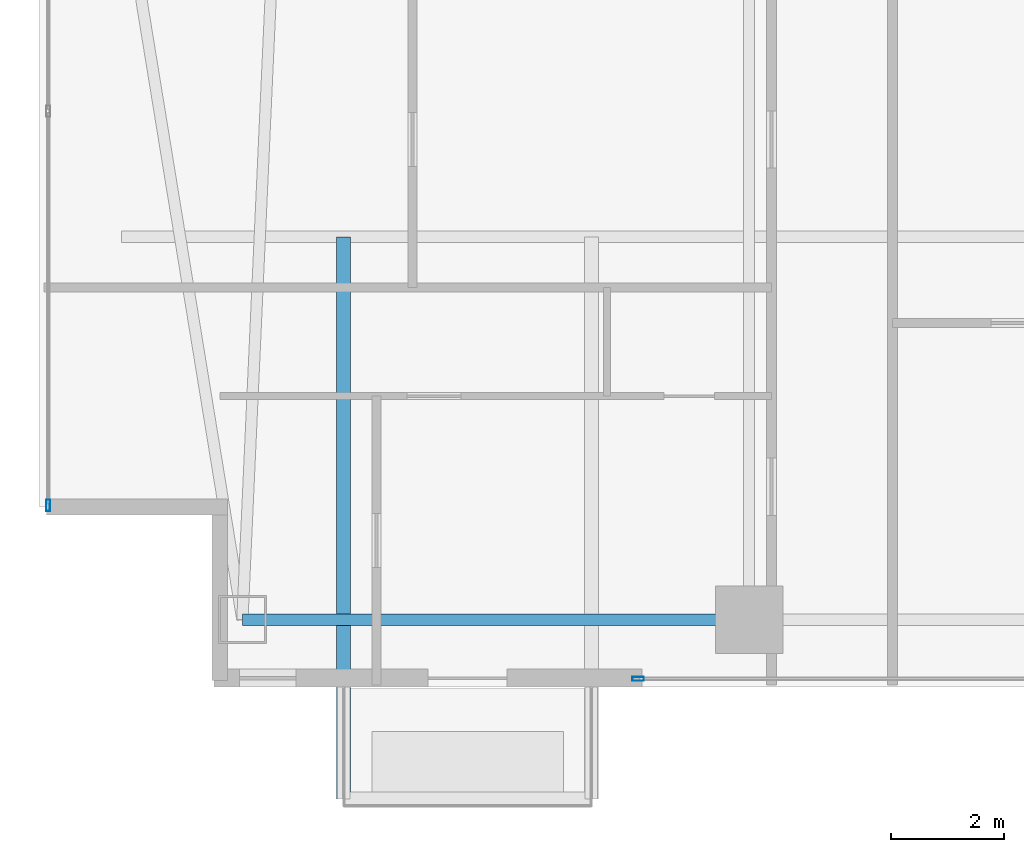
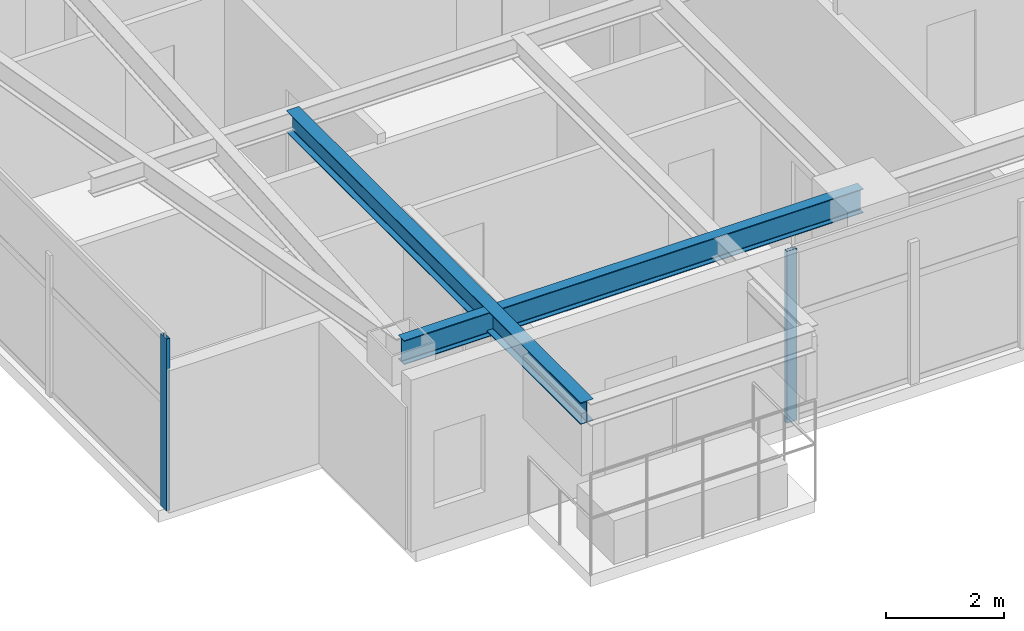
# One storey, part 2 of 28: 2 beams, 2 members, 2 elements without a shape of their own.
"""IFC4 building model written with IfcOpenShell, lengths in metres."""

from ifc_helpers import new_model, si_unit, direction, frame, origin, origin_2d, place, context, subcontext, project, spatial, hollow_rectangle, i_section, extrude, material, layer, layer_set, material_profile, profile_set, type_object, element, aggregate, save


model = new_model("IFC4")

# Units and contexts
model_context = context("Model", 3, precision=1e-05, world=origin(), true_north=direction((0.0, 1.0)))
body_context = subcontext(model_context, "Body", "Model", "MODEL_VIEW")
ifc_project = project(units=[si_unit("LENGTHUNIT", "METRE"), si_unit("AREAUNIT", "SQUARE_METRE"), si_unit("VOLUMEUNIT", "CUBIC_METRE"), si_unit("PLANEANGLEUNIT", "RADIAN"), si_unit("MASSUNIT", "GRAM", prefix="KILO")], contexts=[model_context])

# Site, building, storey
site_placement = place(None, origin())
site = spatial("IfcSite", under=ifc_project, at=site_placement, CompositionType="ELEMENT")
building_placement = place(site_placement, origin())
building = spatial("IfcBuilding", under=site, at=building_placement, Name="Calvorn Quay Hotel", CompositionType="ELEMENT")
storey_placement = place(building_placement, frame((0.0, 0.0, 159.89990234375)))
storey = spatial("IfcBuildingStorey", under=building, at=storey_placement, Name="L39", CompositionType="ELEMENT", Elevation=159.89990234375)

# Beams
ifc_material_1 = material(Name="Steel Q355B", Category="steel")
ifc_material_profile_1 = material_profile(ifc_material_1, i_section(OverallWidth=0.25, OverallDepth=0.449951171875, WebThickness=0.011962890625, FlangeThickness=0.01611328125, FilletRadius=0.01611328125, at=origin_2d()), Name="HN450x250x12x16")
ifc_profile_set_1 = profile_set([ifc_material_profile_1], Name="Steel Q355B")
beam_type_1 = type_object("IfcBeamType", Name="BM-CANT-BALC", PredefinedType="BEAM", material=ifc_profile_set_1)
beam_1_placement = place(storey_placement, frame((5.39990234375, 10.39990234375, 3.315185546875), z_axis=(0.0, -1.0, 0.0), x_axis=(1.0, 0.0, 0.0)))
element("IfcBeam", 1, at=beam_1_placement, inside=storey, type_object=beam_type_1, Name="Cantilever Balcony Beam BCB-L40-2A", PredefinedType="BEAM", context=body_context, shape_type="SweptSolid", body=[
    extrude(i_section(OverallWidth=0.25, OverallDepth=0.449951171875, WebThickness=0.011962890625, FlangeThickness=0.01611328125, FilletRadius=0.01611328125, at=origin_2d()), origin(), (0.0, 0.0, 1.0), 9.989990234375),
])
ifc_material_2 = material(Name="Steel Q355B", Category="steel")
ifc_material_profile_2 = material_profile(ifc_material_2, i_section(OverallWidth=0.199951171875, OverallDepth=0.5, WebThickness=0.010009765625, FlangeThickness=0.01611328125, FilletRadius=0.01611328125, at=origin_2d()), Name="HN500x200x10x16")
ifc_profile_set_2 = profile_set([ifc_material_profile_2], Name="Steel Q355B")
beam_type_2 = type_object("IfcBeamType", Name="BM-SPANDREL-Z1", PredefinedType="SPANDREL", material=ifc_profile_set_2)
beam_2_placement = place(storey_placement, frame((3.60009765625, 3.60009765625, 3.2900390625), z_axis=(1.0, 0.0, 0.0), x_axis=(0.0, 1.0, 0.0)))
element("IfcBeam", 2, at=beam_2_placement, inside=storey, type_object=beam_type_2, Name="Beam BSP-L39-S1", PredefinedType="SPANDREL", context=body_context, shape_type="SweptSolid", body=[
    extrude(i_section(OverallWidth=0.199951171875, OverallDepth=0.5, WebThickness=0.010009765625, FlangeThickness=0.01611328125, FilletRadius=0.01611328125, at=origin_2d()), origin(), (0.0, 0.0, 1.0), 9.0),
])

# Curtain wall, member
ifc_material_3 = material(Name="Pale Anodised Aluminium and Low-E Glass", Category="aluminium")
ifc_layer = layer(ifc_material_3, 0.219970703125)
ifc_layer_set = layer_set([ifc_layer], Name="CW-SYS-Z2")
curtain_wall_type = type_object("IfcCurtainWallType", Name="CW-SYS-Z2", PredefinedType="NOTDEFINED", material=ifc_layer_set)
curtain_wall_1_placement = place(storey_placement, origin())
curtain_wall_1 = element("IfcCurtainWall", 3, at=curtain_wall_1_placement, inside=storey, type_object=curtain_wall_type, Name="Tower West Curtain Wall (L39)", PredefinedType="NOTDEFINED")
ifc_material_4 = material(Name="Pale Anodised Aluminium 6063-T6", Category="aluminium")
ifc_material_profile_3 = material_profile(ifc_material_4, hollow_rectangle(XDim=0.070068359375, YDim=0.199951171875, WallThickness=0.00390625, at=origin_2d()), Name="ALU-M200x70x4")
ifc_profile_set_3 = profile_set([ifc_material_profile_3], Name="Pale Anodised Aluminium 6063-T6")
member_type = type_object("IfcMemberType", Name="CW-SYS-Z2-MUL", PredefinedType="MULLION", material=ifc_profile_set_3)
member_1_placement = place(storey_placement, frame((0.14990234375, 5.6298828125, 0.0), z_axis=(0.0, 0.0, 1.0), x_axis=(-1.0, 0.0, 0.0)))
member_1 = element("IfcMember", 4, at=member_1_placement, type_object=member_type, Name="CW-L39-W mullion 1", PredefinedType="MULLION", context=body_context, shape_type="SweptSolid", body=[
    extrude(hollow_rectangle(XDim=0.070068359375, YDim=0.199951171875, WallThickness=0.00390625, at=origin_2d()), origin(), (0.0, 0.0, 1.0), 3.56005859375),
])
aggregate(curtain_wall_1, [member_1])

curtain_wall_2_placement = place(storey_placement, origin())
curtain_wall_2 = element("IfcCurtainWall", 5, at=curtain_wall_2_placement, inside=storey, type_object=curtain_wall_type, Name="Tower South Waterfront Curtain Wall (L39)", PredefinedType="NOTDEFINED")
member_2_placement = place(storey_placement, frame((10.6298828125, 2.550048828125, 0.0), z_axis=(0.0, 0.0, 1.0), x_axis=(0.0, 1.0, 0.0)))
member_2 = element("IfcMember", 6, at=member_2_placement, type_object=member_type, Name="CW-L39-S mullion 1", PredefinedType="MULLION", context=body_context, shape_type="SweptSolid", body=[
    extrude(hollow_rectangle(XDim=0.070068359375, YDim=0.199951171875, WallThickness=0.00390625, at=origin_2d()), origin(), (0.0, 0.0, 1.0), 3.56005859375),
])
aggregate(curtain_wall_2, [member_2])

save(model, "model.ifc")
